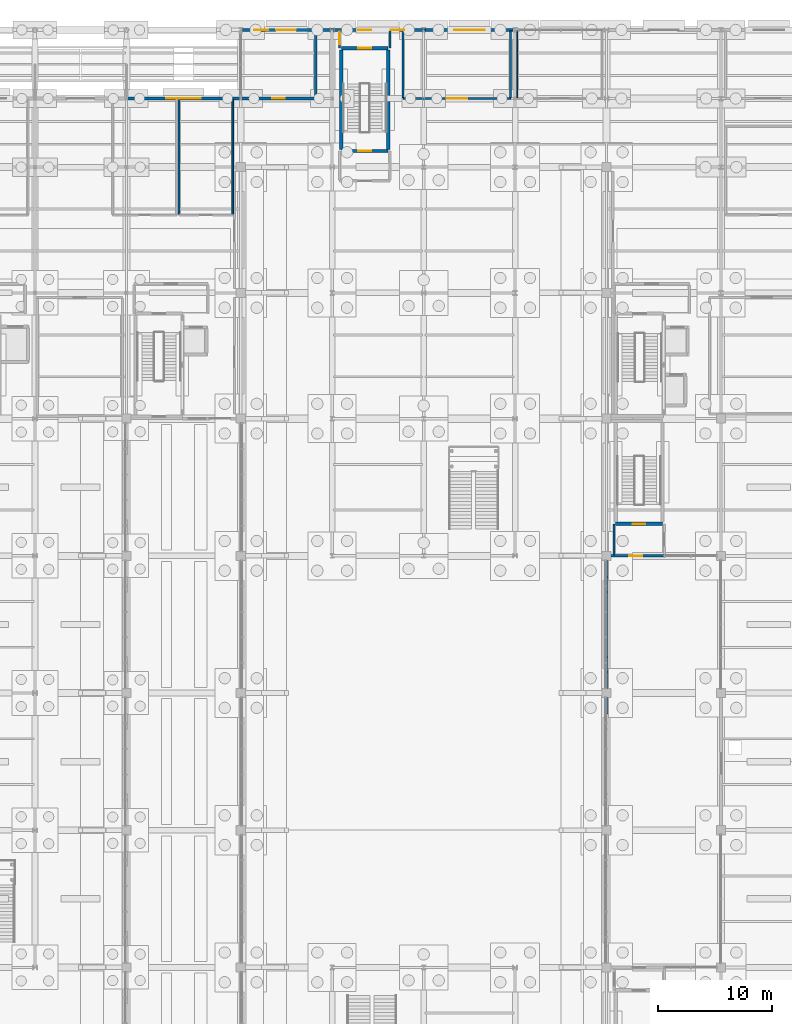
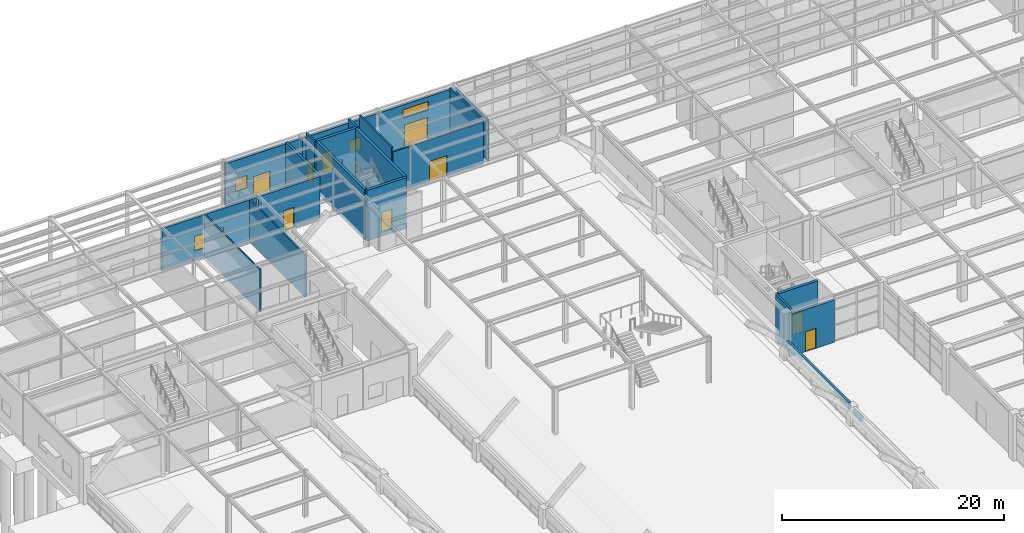
# One storey, part 104 of 129: 27 walls, 10 doors, 4 windows, 14 openings.
"""IFC4 building model written with IfcOpenShell, lengths in metres."""

import ifcopenshell
import ifcopenshell.guid

model = None  # the IFC model being written
_history = None  # IfcOwnerHistory: only IFC2X3 demands one
_inside = {}  # id of a spatial element -> (the spatial element, [elements in it])
_under = {}  # id of a project, library or spatial element -> (it, [spatial elements below it])
_declared = {}  # id of a project -> (the project, [libraries it declares])
_typed = {}  # id of a type object -> (the type object, [elements of that type])
_made_of = {}  # id of a material, layer set ... -> (it, [elements and type objects made of it])


def new_model(schema):
    """Start an empty IFC model of exactly this schema.

    Asked for "IFC4X3", IfcOpenShell would pick the latest addendum, in which some entities
    have other attributes; the version numbers below select the first issue.
    IFC2X3 requires an IfcOwnerHistory on every rooted entity: one is made here for all.
    """
    global model, _history
    if schema == "IFC4X3":
        model = ifcopenshell.file(schema_version=(4, 3, 0, 0))
    else:
        model = ifcopenshell.file(schema=schema)
    _inside.clear()
    _under.clear()
    _declared.clear()
    _typed.clear()
    _made_of.clear()
    _history = None
    if model.schema == "IFC2X3":
        org = make("IfcOrganization", Name="unknown")
        user = make(
            "IfcPersonAndOrganization",
            ThePerson=make("IfcPerson", FamilyName="unknown"),
            TheOrganization=org,
        )
        app = make(
            "IfcApplication",
            ApplicationDeveloper=org,
            Version="unknown",
            ApplicationFullName="unknown",
            ApplicationIdentifier="unknown",
        )
        _history = make(
            "IfcOwnerHistory",
            OwningUser=user,
            OwningApplication=app,
            ChangeAction="ADDED",
            CreationDate=0,
        )
    return model


def make(cls, **values):
    """One entity of the class cls with the attributes given. An attribute that is None is left unset."""
    return model.create_entity(
        cls, **{name: value for name, value in values.items() if value is not None}
    )


def rooted(cls, **values):
    """An entity with a GlobalId (a new one), such as an element, a storey or a relation."""
    return make(cls, GlobalId=ifcopenshell.guid.new(), OwnerHistory=_history, **values)


def si_unit(unit_type, name, prefix=None):
    """IfcSIUnit, for example si_unit("LENGTHUNIT", "METRE", prefix="MILLI")."""
    return make("IfcSIUnit", UnitType=unit_type, Prefix=prefix, Name=name)


def assignment(units):
    """IfcUnitAssignment: the units of a project."""
    return None if units is None else make("IfcUnitAssignment", Units=units)


def point(xyz):
    """IfcCartesianPoint."""
    return None if xyz is None else make("IfcCartesianPoint", Coordinates=xyz)


def direction(xyz):
    """IfcDirection."""
    return None if xyz is None else make("IfcDirection", DirectionRatios=xyz)


def frame(location, z_axis=None, x_axis=None):
    """IfcAxis2Placement3D, a coordinate frame: its origin and axes. An axis left out is left unset."""
    return make(
        "IfcAxis2Placement3D",
        Location=point(location),
        Axis=direction(z_axis),
        RefDirection=direction(x_axis),
    )


def frame_2d(location, x_axis=None):
    """IfcAxis2Placement2D, a coordinate frame in the plane: its origin and x axis."""
    return make(
        "IfcAxis2Placement2D", Location=point(location), RefDirection=direction(x_axis)
    )


def origin():
    """The frame at (0, 0, 0) with its axes left unset."""
    return frame((0.0, 0.0, 0.0))


def place(relative_to, where):
    """IfcLocalPlacement: puts the frame where relative to a parent placement (None: the world)."""
    return make(
        "IfcLocalPlacement", PlacementRelTo=relative_to, RelativePlacement=where
    )


def context(
    kind, dimensions, precision=None, world=None, true_north=None, identifier=None
):
    """IfcGeometricRepresentationContext, for example the 3D "Model" context."""
    return make(
        "IfcGeometricRepresentationContext",
        ContextIdentifier=identifier,
        ContextType=kind,
        CoordinateSpaceDimension=dimensions,
        Precision=precision,
        WorldCoordinateSystem=world,
        TrueNorth=true_north,
    )


def subcontext(parent, identifier, kind, view, scale=None):
    """IfcGeometricRepresentationSubContext, for example "Body" below "Model"."""
    return make(
        "IfcGeometricRepresentationSubContext",
        ContextIdentifier=identifier,
        ContextType=kind,
        ParentContext=parent,
        TargetScale=scale,
        TargetView=view,
    )


def project(units=None, contexts=None):
    """IfcProject with its units and contexts."""
    return rooted(
        "IfcProject",
        Name="project",
        RepresentationContexts=contexts,
        UnitsInContext=assignment(units),
    )


def spatial(cls, under=None, at=None, **own):
    """A site, building, storey or space (cls), placed at a placement, below another one or the project."""
    s = rooted(cls, ObjectPlacement=at, **own)
    if under is not None:
        _under.setdefault(under.id(), (under, []))[1].append(s)
    return s


def profile(cls, at=None, kind="AREA", **sizes):
    """A parametric profile (cls). Its sizes go by their IFC names, for example OverallWidth=200.0."""
    return make(cls, ProfileType=kind, Position=at, **sizes)


def rectangle(**sizes):
    """IfcRectangleProfileDef."""
    return profile("IfcRectangleProfileDef", **sizes)


def extrude(swept, where, along, depth):
    """IfcExtrudedAreaSolid: the profile swept, set in the frame where, extruded along a direction by depth."""
    return make(
        "IfcExtrudedAreaSolid",
        SweptArea=swept,
        Position=where,
        ExtrudedDirection=direction(along),
        Depth=depth,
    )


def shape(context_of_items, identifier, shape_type, items):
    """IfcShapeRepresentation: the items that make up one representation, for example the "Body"."""
    return make(
        "IfcShapeRepresentation",
        ContextOfItems=context_of_items,
        RepresentationIdentifier=identifier,
        RepresentationType=shape_type,
        Items=items,
    )


def material(Name=None, Category=None):
    """IfcMaterial."""
    return make("IfcMaterial", Name=Name, Category=Category)


def layer(
    of_material, thickness, ventilated=None, Name=None, Category=None, Priority=None
):
    """IfcMaterialLayer: one layer of a wall or slab, of a material (None: an air gap)."""
    return make(
        "IfcMaterialLayer",
        Material=of_material,
        LayerThickness=thickness,
        IsVentilated=ventilated,
        Name=Name,
        Category=Category,
        Priority=Priority,
    )


def layer_set(layers, Name=None):
    """IfcMaterialLayerSet."""
    return make("IfcMaterialLayerSet", MaterialLayers=layers, LayerSetName=Name)


def made_of(thing, what):
    """Note that an element or type object is made of a material, layer set ...; save() writes the relation."""
    if what is not None:
        _made_of.setdefault(what.id(), (what, []))[1].append(thing)
    return thing


def type_object(cls, material=None, **own):
    """A type object (cls), such as IfcWallType, which elements share."""
    return made_of(rooted(cls, **own), material)


def element(
    cls,
    number,
    at=None,
    inside=None,
    cuts=None,
    type_object=None,
    material=None,
    context=None,
    identifier="Body",
    shape_type=None,
    held_by="IfcProductDefinitionShape",
    body=None,
    shapes=None,
    **own,
):
    """One element of the class cls, such as IfcWall. Its Tag is "e" and its number.

    at: its placement. inside: the storey or other place that contains it. cuts: it is an
    opening in that element (IfcRelVoidsElement). A single representation is given by context,
    identifier, shape_type and body (its items); several are given by shapes. held_by: the class
    of the entity that holds the representations. save() writes the other relations.
    """
    e = rooted(cls, Tag="e%d" % number, ObjectPlacement=at, **own)
    if body is not None:
        shapes = [shape(context, identifier, shape_type, body)]
    if shapes is not None:
        e.Representation = make(held_by, Representations=shapes)
    if inside is not None:
        _inside.setdefault(inside.id(), (inside, []))[1].append(e)
    if cuts is not None:
        rooted(
            "IfcRelVoidsElement", RelatingBuildingElement=cuts, RelatedOpeningElement=e
        )
    if type_object is not None:
        _typed.setdefault(type_object.id(), (type_object, []))[1].append(e)
    return made_of(e, material)


def fill(opening, filler):
    """IfcRelFillsElement: the door or window that sits in an opening."""
    return rooted(
        "IfcRelFillsElement",
        RelatingOpeningElement=opening,
        RelatedBuildingElement=filler,
    )


def aggregate(whole, parts):
    """IfcRelAggregates: a whole, such as a stair, and the parts it consists of."""
    return rooted("IfcRelAggregates", RelatingObject=whole, RelatedObjects=parts)


def save(model, path):
    """Write the relations noted so far, then the file.

    IfcRelAggregates (storeys below a building ...), IfcRelContainedInSpatialStructure (elements
    in a storey), IfcRelDefinesByType, IfcRelAssociatesMaterial and IfcRelDeclares: one each for
    every whole, place, type object, material and project.
    """
    for whole, parts in _under.values():
        aggregate(whole, parts)
    for where, things in _inside.values():
        rooted(
            "IfcRelContainedInSpatialStructure",
            RelatedElements=things,
            RelatingStructure=where,
        )
    for kind, things in _typed.values():
        rooted("IfcRelDefinesByType", RelatedObjects=things, RelatingType=kind)
    for what, things in _made_of.values():
        rooted("IfcRelAssociatesMaterial", RelatedObjects=things, RelatingMaterial=what)
    for by, libraries in _declared.values():
        rooted("IfcRelDeclares", RelatingContext=by, RelatedDefinitions=libraries)
    model.write(path)


model = new_model("IFC4")

# Units and contexts
model_context = context("Model", 3, precision=1e-05, world=origin(), true_north=direction((0.0, 1.0)))
body_context = subcontext(model_context, "Body", "Model", "MODEL_VIEW")
ifc_project = project(units=[si_unit("LENGTHUNIT", "METRE"), si_unit("AREAUNIT", "SQUARE_METRE"), si_unit("VOLUMEUNIT", "CUBIC_METRE"), si_unit("PLANEANGLEUNIT", "RADIAN"), si_unit("MASSUNIT", "GRAM", prefix="KILO")], contexts=[model_context])

# Site, building, storey
site_placement = place(None, origin())
site = spatial("IfcSite", under=ifc_project, at=site_placement, CompositionType="ELEMENT")
building_placement = place(site_placement, origin())
building = spatial("IfcBuilding", under=site, at=building_placement, Name="Sitalva Quay Ferry Terminal", CompositionType="ELEMENT")
storey_placement = place(building_placement, origin())
storey = spatial("IfcBuildingStorey", under=building, at=storey_placement, Name="L01", CompositionType="ELEMENT", Elevation=0.0)

# Walls
ifc_material_1 = material(Name="Concrete C40/50", Category="concrete")
ifc_layer_1 = layer(ifc_material_1, 0.215087890625)
ifc_layer_set_1 = layer_set([ifc_layer_1], Name="Concrete C40/50")
wall_type_1 = type_object("IfcWallType", Name="Wall_ArchHaunchIn_C40", PredefinedType="SOLIDWALL", material=ifc_layer_set_1)
for number, where, z_axis, x_axis, name in (
    (1, (74.0, 55.85009765625, 1.639892578125), (0.0, 0.0, 1.0), (0.0, 1.0, 0.0), "V1-E shallow-arch inner haunch S EW-L01-108"),
    (2, (74.0, 62.85009765625, 1.639892578125), (0.0, 0.0, 1.0), (0.0, 1.0, 0.0), "V1-E shallow-arch inner haunch N EW-L01-109"),
):
    element("IfcWall", number, at=place(storey_placement, frame(where, z_axis=z_axis, x_axis=x_axis)), inside=storey, type_object=wall_type_1, Name=name, PredefinedType="SOLIDWALL", context=body_context, shape_type="SweptSolid", body=[
        extrude(rectangle(XDim=1.2998046875, YDim=0.215087890625, at=frame_2d((0.64990234375, 0.0))), origin(), (0.0, 0.0, 1.0), 0.239990234375),
    ])
ifc_material_2 = material(Name="Concrete C40/50", Category="concrete")
ifc_layer_2 = layer(ifc_material_2, 0.235107421875)
ifc_layer_set_2 = layer_set([ifc_layer_2], Name="Concrete C40/50")
wall_type_2 = type_object("IfcWallType", Name="Wall_ArchHaunchOut_C40", PredefinedType="SOLIDWALL", material=ifc_layer_set_2)
for number, where, z_axis, x_axis, name in (
    (3, (74.0, 52.14990234375, 1.3798828125), (0.0, 0.0, 1.0), (0.0, 1.0, 0.0), "V1-E shallow-arch outer haunch N EW-L01-105"),
    (4, (74.0, 54.39990234375, 1.3798828125), (0.0, 0.0, 1.0), (0.0, 1.0, 0.0), "V1-E shallow-arch outer haunch S EW-L01-107"),
    (5, (74.0, 64.14990234375, 1.3798828125), (0.0, 0.0, 1.0), (0.0, 1.0, 0.0), "V1-E shallow-arch outer haunch N EW-L01-110"),
):
    element("IfcWall", number, at=place(storey_placement, frame(where, z_axis=z_axis, x_axis=x_axis)), inside=storey, type_object=wall_type_2, Name=name, PredefinedType="SOLIDWALL", context=body_context, shape_type="SweptSolid", body=[
        extrude(rectangle(XDim=1.4501953125, YDim=0.235107421875, at=frame_2d((0.72509765625, 0.0))), origin(), (0.0, 0.0, 1.0), 0.5),
    ])
ifc_material_3 = material(Name="Concrete C40/50", Category="concrete")
ifc_layer_3 = layer(ifc_material_3, 0.2451171875)
ifc_layer_set_3 = layer_set([ifc_layer_3], Name="Concrete C40/50")
wall_type_3 = type_object("IfcWallType", Name="Wall_ArchSpandrel_C40", PredefinedType="SOLIDWALL", material=ifc_layer_set_3)
wall_1_placement = place(storey_placement, frame((74.0, 54.39990234375, 1.8798828125), z_axis=(0.0, 0.0, 1.0), x_axis=(0.0, 1.0, 0.0)))
element("IfcWall", 6, at=wall_1_placement, inside=storey, type_object=wall_type_3, Name="V1-E shallow-arch Concrete C40/50 spandrel fascia EW-L01-106", PredefinedType="SOLIDWALL", context=body_context, shape_type="SweptSolid", body=[
    extrude(rectangle(XDim=11.2001953125, YDim=0.2451171875, at=frame_2d((5.60009765625, 0.0))), origin(), (0.0, 0.0, 1.0), 0.22021484375),
])

# Wall, opening, door
ifc_material_4 = material(Name="Concrete C40/50", Category="concrete")
ifc_layer_4 = layer(ifc_material_4, 0.280029296875)
ifc_layer_set_4 = layer_set([ifc_layer_4], Name="Concrete C40/50")
wall_type_4 = type_object("IfcWallType", Name="Wall_CoreShear_280", PredefinedType="SHEAR", material=ifc_layer_set_4)
wall_2_placement = place(storey_placement, frame((50.800048828125, 101.39990234375, -0.449951171875), z_axis=(0.0, 0.0, 1.0), x_axis=(1.0, 0.0, 0.0)))
wall_2 = element("IfcWall", 7, at=wall_2_placement, inside=storey, type_object=wall_type_4, Name="Core C7 L01 south shear wall", PredefinedType="SHEAR", context=body_context, shape_type="SweptSolid", body=[
    extrude(rectangle(XDim=4.099853515625, YDim=0.280029296875, at=frame_2d((2.0498046875, 0.0))), origin(), (0.0, 0.0, 1.0), 5.570068359375),
])
opening_1_placement = place(wall_2_placement, frame((1.5, 0.0, 0.449951171875)))
opening_1 = element("IfcOpeningElement", 8, at=opening_1_placement, cuts=wall_2, Name="Opening D-L01-025", PredefinedType="OPENING", context=body_context, shape_type="SweptSolid", body=[
    extrude(rectangle(XDim=1.10009765625, YDim=2.199951171875, at=frame_2d((0.550048828125, 1.10009765625))), frame((0.0, 0.14990234375, 0.0), z_axis=(0.0, -1.0, 0.0), x_axis=(1.0, 0.0, 0.0)), (0.0, 0.0, 1.0), 0.300048828125),
])
ifc_material_5 = material(Name="Galvanised Steel Fire Door", Category="steel")
door_type_1 = type_object("IfcDoorType", Name="Door_CoreExit_1100x2200", OperationType="SINGLE_SWING_LEFT", PredefinedType="DOOR", material=ifc_material_5)
door_1_placement = place(opening_1_placement, origin())
door_1 = element("IfcDoor", 9, at=door_1_placement, inside=storey, type_object=door_type_1, Name="DOOR-D-L01-025 Protected stair ST-07 door D-L01-025", OperationType="SINGLE_SWING_LEFT", OverallHeight=2.199951171875, OverallWidth=1.10009765625, PredefinedType="DOOR", context=body_context, shape_type="SweptSolid", body=[
    extrude(rectangle(XDim=1.10009765625, YDim=2.199951171875, at=frame_2d((0.550048828125, 1.10009765625))), frame((0.0, 0.02490234375, 0.0), z_axis=(0.0, -1.0, 0.0), x_axis=(1.0, 0.0, 0.0)), (0.0, 0.0, 1.0), 0.050048828125),
])
fill(opening_1, door_1)

wall_3_placement = place(storey_placement, frame((50.800048828125, 110.39990234375, -0.449951171875), z_axis=(0.0, 0.0, 1.0), x_axis=(1.0, 0.0, 0.0)))
wall_3 = element("IfcWall", 10, at=wall_3_placement, inside=storey, type_object=wall_type_4, Name="Core C7 L01 north shear wall", PredefinedType="SHEAR", context=body_context, shape_type="SweptSolid", body=[
    extrude(rectangle(XDim=4.099853515625, YDim=0.280029296875, at=frame_2d((2.0498046875, 0.0))), origin(), (0.0, 0.0, 1.0), 5.570068359375),
])
opening_2_placement = place(wall_3_placement, frame((1.5, 0.0, 0.449951171875)))
opening_2 = element("IfcOpeningElement", 11, at=opening_2_placement, cuts=wall_3, Name="Opening D-L01-026", PredefinedType="OPENING", context=body_context, shape_type="SweptSolid", body=[
    extrude(rectangle(XDim=1.10009765625, YDim=2.199951171875, at=frame_2d((0.550048828125, 1.10009765625))), frame((0.0, 0.14990234375, 0.0), z_axis=(0.0, -1.0, 0.0), x_axis=(1.0, 0.0, 0.0)), (0.0, 0.0, 1.0), 0.300048828125),
])
door_2_placement = place(opening_2_placement, origin())
door_2 = element("IfcDoor", 12, at=door_2_placement, inside=storey, type_object=door_type_1, Name="DOOR-D-L01-026 Protected stair ST-07 exit discharge door D-L01-026", OperationType="SINGLE_SWING_RIGHT", OverallHeight=2.199951171875, OverallWidth=1.10009765625, PredefinedType="DOOR", context=body_context, shape_type="SweptSolid", body=[
    extrude(rectangle(XDim=1.10009765625, YDim=2.199951171875, at=frame_2d((0.550048828125, 1.10009765625))), frame((0.0, 0.02490234375, 0.0), z_axis=(0.0, -1.0, 0.0), x_axis=(1.0, 0.0, 0.0)), (0.0, 0.0, 1.0), 0.050048828125),
])
fill(opening_2, door_2)

# Walls
for number, where, z_axis, x_axis, name in (
    (13, (50.800048828125, 101.5400390625, -0.449951171875), (0.0, 0.0, 1.0), (0.0, 1.0, 0.0), "Core C7 L01 west shear wall"),
    (14, (54.89990234375, 101.5400390625, -0.449951171875), (0.0, 0.0, 1.0), (0.0, 1.0, 0.0), "Core C7 L01 east shear wall"),
):
    element("IfcWall", number, at=place(storey_placement, frame(where, z_axis=z_axis, x_axis=x_axis)), inside=storey, type_object=wall_type_4, Name=name, PredefinedType="SHEAR", context=body_context, shape_type="SweptSolid", body=[
        extrude(rectangle(XDim=8.719970703125, YDim=0.280029296875, at=frame_2d((4.35986328125, 0.0))), origin(), (0.0, 0.0, 1.0), 5.570068359375),
    ])

# Wall, opening, door
wall_4_placement = place(storey_placement, frame((78.89990234375, 68.800048828125, -0.449951171875), z_axis=(0.0, 0.0, 1.0), x_axis=(-1.0, 0.0, 0.0)))
wall_4 = element("IfcWall", 15, at=wall_4_placement, inside=storey, type_object=wall_type_4, Name="Core C11 L01 south shear wall", PredefinedType="SHEAR", context=body_context, shape_type="SweptSolid", body=[
    extrude(rectangle(XDim=4.099853515625, YDim=0.280029296875, at=frame_2d((2.0498046875, 0.0))), origin(), (0.0, 0.0, 1.0), 5.570068359375),
])
opening_3_placement = place(wall_4_placement, frame((1.5, 0.0, 0.449951171875)))
opening_3 = element("IfcOpeningElement", 16, at=opening_3_placement, cuts=wall_4, Name="Opening D-L01-039", PredefinedType="OPENING", context=body_context, shape_type="SweptSolid", body=[
    extrude(rectangle(XDim=1.10009765625, YDim=2.199951171875, at=frame_2d((0.550048828125, 1.10009765625))), frame((0.0, 0.14990234375, 0.0), z_axis=(0.0, -1.0, 0.0), x_axis=(1.0, 0.0, 0.0)), (0.0, 0.0, 1.0), 0.300048828125),
])
door_3_placement = place(opening_3_placement, origin())
door_3 = element("IfcDoor", 17, at=door_3_placement, inside=storey, type_object=door_type_1, Name="DOOR-D-L01-039 Protected stair ST-13 door D-L01-039", OperationType="SINGLE_SWING_LEFT", OverallHeight=2.199951171875, OverallWidth=1.10009765625, PredefinedType="DOOR", context=body_context, shape_type="SweptSolid", body=[
    extrude(rectangle(XDim=1.10009765625, YDim=2.199951171875, at=frame_2d((0.550048828125, 1.10009765625))), frame((0.0, 0.02490234375, 0.0), z_axis=(0.0, -1.0, 0.0), x_axis=(1.0, 0.0, 0.0)), (0.0, 0.0, 1.0), 0.050048828125),
])
fill(opening_3, door_3)

ifc_material_6 = material(Name="Insulated Precast Concrete C40/50", Category="concrete")
ifc_layer_5 = layer(ifc_material_6, 0.239990234375)
ifc_layer_set_5 = layer_set([ifc_layer_5], Name="Insulated Precast Concrete C40/50")
wall_type_5 = type_object("IfcWallType", Name="Wall_ExtClad_240", PredefinedType="ELEMENTEDWALL", material=ifc_layer_set_5)
wall_5_placement = place(storey_placement, frame((79.050048828125, 66.0, 0.0), z_axis=(0.0, 0.0, 1.0), x_axis=(-1.0, 0.0, 0.0)))
wall_5 = element("IfcWall", 18, at=wall_5_placement, inside=storey, type_object=wall_type_5, Name="Core C11 courtyard exit portal EW-L01-120", PredefinedType="ELEMENTEDWALL", context=body_context, shape_type="SweptSolid", body=[
    extrude(rectangle(XDim=4.699951171875, YDim=0.239990234375, at=frame_2d((2.35009765625, 0.0))), origin(), (0.0, 0.0, 1.0), 4.657958984375),
])
opening_4_placement = place(wall_5_placement, frame((1.949951171875, 0.0, 0.0)))
opening_4 = element("IfcOpeningElement", 19, at=opening_4_placement, cuts=wall_5, Name="Opening ED-L01-015", PredefinedType="OPENING", context=body_context, shape_type="SweptSolid", body=[
    extrude(rectangle(XDim=1.10009765625, YDim=2.199951171875, at=frame_2d((0.550048828125, 1.10009765625))), frame((0.0, 0.1298828125, 0.0), z_axis=(0.0, -1.0, 0.0), x_axis=(1.0, 0.0, 0.0)), (0.0, 0.0, 1.0), 0.260009765625),
])
door_4_placement = place(opening_4_placement, origin())
door_4 = element("IfcDoor", 20, at=door_4_placement, inside=storey, type_object=door_type_1, Name="EDOOR-ED-L01-015 Exit stair ST-13 courtyard exit door ED-L01-015", OperationType="SINGLE_SWING_LEFT", OverallHeight=2.199951171875, OverallWidth=1.10009765625, PredefinedType="DOOR", context=body_context, shape_type="SweptSolid", body=[
    extrude(rectangle(XDim=1.10009765625, YDim=2.199951171875, at=frame_2d((0.550048828125, 1.10009765625))), frame((0.0, 0.02490234375, 0.0), z_axis=(0.0, -1.0, 0.0), x_axis=(1.0, 0.0, 0.0)), (0.0, 0.0, 1.0), 0.050048828125),
])
fill(opening_4, door_4)

# Wall, opening, window
wall_6_placement = place(storey_placement, frame((32.0849609375, 106.0, 0.0), z_axis=(0.0, 0.0, 1.0), x_axis=(1.0, 0.0, 0.0)))
wall_6 = element("IfcWall", 21, at=wall_6_placement, inside=storey, type_object=wall_type_5, Name="L01 north-west landside facade EW-L01-145", PredefinedType="ELEMENTEDWALL", context=body_context, shape_type="SweptSolid", body=[
    extrude(rectangle(XDim=9.830078125, YDim=0.239990234375, at=frame_2d((4.9150390625, 0.0))), origin(), (0.0, 0.0, 1.0), 4.657958984375),
])
opening_5_placement = place(wall_6_placement, frame((3.4150390625, 0.0, 1.0)))
opening_5 = element("IfcOpeningElement", 22, at=opening_5_placement, cuts=wall_6, Name="Opening WN-L01-018", PredefinedType="OPENING", context=body_context, shape_type="SweptSolid", body=[
    extrude(rectangle(XDim=3.0, YDim=1.60009765625, at=frame_2d((1.5, 0.800048828125))), frame((0.0, 0.1298828125, 0.0), z_axis=(0.0, -1.0, 0.0), x_axis=(1.0, 0.0, 0.0)), (0.0, 0.0, 1.0), 0.260009765625),
])
ifc_material_7 = material(Name="Anodised Aluminium & Low-E Glass", Category="aluminium")
window_type_1 = type_object("IfcWindowType", Name="Win_Ribbon_3000x1600", PartitioningType="SINGLE_PANEL", PredefinedType="WINDOW", material=ifc_material_7)
window_1_placement = place(opening_5_placement, origin())
window_1 = element("IfcWindow", 23, at=window_1_placement, inside=storey, type_object=window_type_1, Name="Landside north ribbon window WN-L01-018", OverallHeight=1.60009765625, OverallWidth=3.0, PartitioningType="SINGLE_PANEL", PredefinedType="WINDOW", context=body_context, shape_type="SweptSolid", body=[
    extrude(rectangle(XDim=3.0, YDim=1.60009765625, at=frame_2d((1.5, 0.800048828125))), frame((0.0, 0.030029296875, 0.0), z_axis=(0.0, -1.0, 0.0), x_axis=(1.0, 0.0, 0.0)), (0.0, 0.0, 1.0), 0.06005859375),
])
fill(opening_5, window_1)

# Wall, openings, door, window
ifc_material_8 = material(Name="Concrete C40/50", Category="concrete")
ifc_layer_6 = layer(ifc_material_8, 0.260009765625)
ifc_layer_set_6 = layer_set([ifc_layer_6], Name="Concrete C40/50")
wall_type_6 = type_object("IfcWallType", Name="Wall_ExtSolid_260", PredefinedType="SOLIDWALL", material=ifc_layer_set_6)
wall_7_placement = place(storey_placement, frame((42.16943359375, 112.0, 0.0), z_axis=(0.0, 0.0, 1.0), x_axis=(1.0, 0.0, 0.0)))
wall_7 = element("IfcWall", 24, at=wall_7_placement, inside=storey, type_object=wall_type_6, Name="Fire control room north facade EW-L01-152", PredefinedType="SOLIDWALL", context=body_context, shape_type="SweptSolid", body=[
    extrude(rectangle(XDim=8.005615234375, YDim=0.260009765625, at=frame_2d((4.0029296875, 0.0))), origin(), (0.0, 0.0, 1.0), 4.657958984375),
])
opening_6_placement = place(wall_7_placement, frame((2.930419921875, 0.0, 0.0)))
opening_6 = element("IfcOpeningElement", 25, at=opening_6_placement, cuts=wall_7, Name="Opening ED-L01-031", PredefinedType="OPENING", context=body_context, shape_type="SweptSolid", body=[
    extrude(rectangle(XDim=1.719970703125, YDim=2.219970703125, at=frame_2d((0.85986328125, 1.10986328125))), frame((0.0, 0.139892578125, 0.0), z_axis=(0.0, -1.0, 0.0), x_axis=(1.0, 0.0, 0.0)), (0.0, 0.0, 1.0), 0.280029296875),
])
opening_7_placement = place(wall_7_placement, frame((1.030517578125, 0.0, 1.199951171875)))
opening_7 = element("IfcOpeningElement", 26, at=opening_7_placement, cuts=wall_7, Name="Opening WN-L01-024", PredefinedType="OPENING", context=body_context, shape_type="SweptSolid", body=[
    extrude(rectangle(XDim=1.199951171875, YDim=1.39990234375, at=frame_2d((0.60009765625, 0.699951171875))), frame((0.0, 0.139892578125, 0.0), z_axis=(0.0, -1.0, 0.0), x_axis=(1.0, 0.0, 0.0)), (0.0, 0.0, 1.0), 0.280029296875),
])
ifc_material_9 = material(Name="Stainless Steel 316L", Category="steel")
door_type_2 = type_object("IfcDoorType", Name="Door_Brigade_1720x2220", OperationType="DOUBLE_DOOR_SINGLE_SWING", PredefinedType="DOOR", material=ifc_material_9)
door_5_placement = place(opening_6_placement, origin())
door_5 = element("IfcDoor", 27, at=door_5_placement, inside=storey, type_object=door_type_2, Name="EDOOR-ED-L01-031 Fire brigade direct access door to L01-FCR ED-L01-031", OperationType="DOUBLE_DOOR_SINGLE_SWING", OverallHeight=2.219970703125, OverallWidth=1.719970703125, PredefinedType="DOOR", context=body_context, shape_type="SweptSolid", body=[
    extrude(rectangle(XDim=1.719970703125, YDim=2.219970703125, at=frame_2d((0.85986328125, 1.10986328125))), frame((0.0, 0.02490234375, 0.0), z_axis=(0.0, -1.0, 0.0), x_axis=(1.0, 0.0, 0.0)), (0.0, 0.0, 1.0), 0.050048828125),
])
fill(opening_6, door_5)
ifc_material_10 = material(Name="Anodised Aluminium & Low-E Glass", Category="aluminium")
window_type_2 = type_object("IfcWindowType", Name="Win_Punched_1200x1400", PartitioningType="SINGLE_PANEL", PredefinedType="WINDOW", material=ifc_material_10)
window_2_placement = place(opening_7_placement, origin())
window_2 = element("IfcWindow", 28, at=window_2_placement, inside=storey, type_object=window_type_2, Name="Fire control room observation window WN-L01-024", OverallHeight=1.39990234375, OverallWidth=1.199951171875, PartitioningType="SINGLE_PANEL", PredefinedType="WINDOW", context=body_context, shape_type="SweptSolid", body=[
    extrude(rectangle(XDim=1.199951171875, YDim=1.39990234375, at=frame_2d((0.60009765625, 0.699951171875))), frame((0.0, 0.030029296875, 0.0), z_axis=(0.0, -1.0, 0.0), x_axis=(1.0, 0.0, 0.0)), (0.0, 0.0, 1.0), 0.06005859375),
])
fill(opening_7, window_2)

wall_8_placement = place(storey_placement, frame((50.1630859375, 112.0, 0.0), z_axis=(0.0, 0.0, 1.0), x_axis=(1.0, 0.0, 0.0)))
wall_8 = element("IfcWall", 29, at=wall_8_placement, inside=storey, type_object=wall_type_6, Name="Core C7 north exit facade EW-L01-153", PredefinedType="SOLIDWALL", context=body_context, shape_type="SweptSolid", body=[
    extrude(rectangle(XDim=8.018310546875, YDim=0.260009765625, at=frame_2d((4.00927734375, 0.0))), origin(), (0.0, 0.0, 1.0), 4.657958984375),
])
opening_8_placement = place(wall_8_placement, frame((2.136962890625, 0.0, 0.0)))
opening_8 = element("IfcOpeningElement", 30, at=opening_8_placement, cuts=wall_8, Name="Opening ED-L01-032", PredefinedType="OPENING", context=body_context, shape_type="SweptSolid", body=[
    extrude(rectangle(XDim=1.10009765625, YDim=2.199951171875, at=frame_2d((0.550048828125, 1.10009765625))), frame((0.0, 0.139892578125, 0.0), z_axis=(0.0, -1.0, 0.0), x_axis=(1.0, 0.0, 0.0)), (0.0, 0.0, 1.0), 0.280029296875),
])
opening_9_placement = place(wall_8_placement, frame((4.93701171875, 0.0, 1.199951171875)))
opening_9 = element("IfcOpeningElement", 31, at=opening_9_placement, cuts=wall_8, Name="Opening WN-L01-025", PredefinedType="OPENING", context=body_context, shape_type="SweptSolid", body=[
    extrude(rectangle(XDim=1.199951171875, YDim=1.39990234375, at=frame_2d((0.60009765625, 0.699951171875))), frame((0.0, 0.139892578125, 0.0), z_axis=(0.0, -1.0, 0.0), x_axis=(1.0, 0.0, 0.0)), (0.0, 0.0, 1.0), 0.280029296875),
])
door_6_placement = place(opening_8_placement, origin())
door_6 = element("IfcDoor", 32, at=door_6_placement, inside=storey, type_object=door_type_1, Name="EDOOR-ED-L01-032 Exit stair ST-07 north forecourt exit door ED-L01-032", OperationType="SINGLE_SWING_LEFT", OverallHeight=2.199951171875, OverallWidth=1.10009765625, PredefinedType="DOOR", context=body_context, shape_type="SweptSolid", body=[
    extrude(rectangle(XDim=1.10009765625, YDim=2.199951171875, at=frame_2d((0.550048828125, 1.10009765625))), frame((0.0, 0.02490234375, 0.0), z_axis=(0.0, -1.0, 0.0), x_axis=(1.0, 0.0, 0.0)), (0.0, 0.0, 1.0), 0.050048828125),
])
fill(opening_8, door_6)
window_3_placement = place(opening_9_placement, origin())
window_3 = element("IfcWindow", 33, at=window_3_placement, inside=storey, type_object=window_type_2, Name="North arrival window WN-L01-025", OverallHeight=1.39990234375, OverallWidth=1.199951171875, PartitioningType="SINGLE_PANEL", PredefinedType="WINDOW", context=body_context, shape_type="SweptSolid", body=[
    extrude(rectangle(XDim=1.199951171875, YDim=1.39990234375, at=frame_2d((0.60009765625, 0.699951171875))), frame((0.0, 0.030029296875, 0.0), z_axis=(0.0, -1.0, 0.0), x_axis=(1.0, 0.0, 0.0)), (0.0, 0.0, 1.0), 0.06005859375),
])
fill(opening_9, window_3)

wall_9_placement = place(storey_placement, frame((58.16943359375, 112.0, 0.0), z_axis=(0.0, 0.0, 1.0), x_axis=(1.0, 0.0, 0.0)))
wall_9 = element("IfcWall", 34, at=wall_9_placement, inside=storey, type_object=wall_type_6, Name="Main landside entrance portal EW-L01-154", PredefinedType="SOLIDWALL", context=body_context, shape_type="SweptSolid", body=[
    extrude(rectangle(XDim=7.6611328125, YDim=0.260009765625, at=frame_2d((3.83056640625, 0.0))), origin(), (0.0, 0.0, 1.0), 4.657958984375),
])
opening_10_placement = place(wall_9_placement, frame((2.630615234375, 0.0, 0.0)))
opening_10 = element("IfcOpeningElement", 35, at=opening_10_placement, cuts=wall_9, Name="Opening ED-L01-033", PredefinedType="OPENING", context=body_context, shape_type="SweptSolid", body=[
    extrude(rectangle(XDim=2.39990234375, YDim=2.39990234375, at=frame_2d((1.199951171875, 1.199951171875))), frame((0.0, 0.139892578125, 0.0), z_axis=(0.0, -1.0, 0.0), x_axis=(1.0, 0.0, 0.0)), (0.0, 0.0, 1.0), 0.280029296875),
])
opening_11_placement = place(wall_9_placement, frame((2.505615234375, 0.0, 3.199951171875)))
opening_11 = element("IfcOpeningElement", 36, at=opening_11_placement, cuts=wall_9, Name="Opening WN-L01-026", PredefinedType="OPENING", context=body_context, shape_type="SweptSolid", body=[
    extrude(rectangle(XDim=2.64990234375, YDim=0.919921875, at=frame_2d((1.324951171875, 0.4599609375))), frame((0.0, 0.139892578125, 0.0), z_axis=(0.0, -1.0, 0.0), x_axis=(1.0, 0.0, 0.0)), (0.0, 0.0, 1.0), 0.280029296875),
])
ifc_material_11 = material(Name="Anodised Aluminium & Toughened Glass", Category="aluminium")
door_type_3 = type_object("IfcDoorType", Name="Door_Entrance_2400x2400", OperationType="DOUBLE_DOOR_SINGLE_SWING", PredefinedType="DOOR", material=ifc_material_11)
door_7_placement = place(opening_10_placement, origin())
door_7 = element("IfcDoor", 37, at=door_7_placement, inside=storey, type_object=door_type_3, Name="EDOOR-ED-L01-033 Main landside terminal entrance ED-L01-033", OperationType="DOUBLE_DOOR_SINGLE_SWING", OverallHeight=2.39990234375, OverallWidth=2.39990234375, PredefinedType="DOOR", context=body_context, shape_type="SweptSolid", body=[
    extrude(rectangle(XDim=2.39990234375, YDim=2.39990234375, at=frame_2d((1.199951171875, 1.199951171875))), frame((0.0, 0.02490234375, 0.0), z_axis=(0.0, -1.0, 0.0), x_axis=(1.0, 0.0, 0.0)), (0.0, 0.0, 1.0), 0.050048828125),
])
fill(opening_10, door_7)
ifc_material_12 = material(Name="Anodised Aluminium & Low-E Glass", Category="aluminium")
window_type_3 = type_object("IfcWindowType", Name="Win_TransomB_2650x920", PartitioningType="SINGLE_PANEL", PredefinedType="WINDOW", material=ifc_material_12)
window_4_placement = place(opening_11_placement, origin())
window_4 = element("IfcWindow", 38, at=window_4_placement, inside=storey, type_object=window_type_3, Name="Entrance transom window WN-L01-026", OverallHeight=0.919921875, OverallWidth=2.64990234375, PartitioningType="SINGLE_PANEL", PredefinedType="WINDOW", context=body_context, shape_type="SweptSolid", body=[
    extrude(rectangle(XDim=2.64990234375, YDim=0.919921875, at=frame_2d((1.324951171875, 0.4599609375))), frame((0.0, 0.030029296875, 0.0), z_axis=(0.0, -1.0, 0.0), x_axis=(1.0, 0.0, 0.0)), (0.0, 0.0, 1.0), 0.06005859375),
])
fill(opening_11, window_4)

# Wall, opening, door
ifc_material_13 = material(Name="Concrete C35/45", Category="concrete")
ifc_layer_7 = layer(ifc_material_13, 0.22998046875)
ifc_layer_set_7 = layer_set([ifc_layer_7], Name="Concrete C35/45")
wall_type_7 = type_object("IfcWallType", Name="Wall_FireCtrl_230", PredefinedType="SOLIDWALL", material=ifc_layer_set_7)
wall_10_placement = place(storey_placement, frame((42.080078125, 106.0, 0.0), z_axis=(0.0, 0.0, 1.0), x_axis=(1.0, 0.0, 0.0)))
wall_10 = element("IfcWall", 39, at=wall_10_placement, inside=storey, type_object=wall_type_7, Name="Fire Command & Control Room S wall IW-L01-0127", PredefinedType="SOLIDWALL", context=body_context, shape_type="SweptSolid", body=[
    extrude(rectangle(XDim=6.469970703125, YDim=0.22998046875, at=frame_2d((3.23486328125, 0.0))), origin(), (0.0, 0.0, 1.0), 4.659912109375),
])
opening_12_placement = place(wall_10_placement, frame((2.695068359375, 0.0, 0.0)))
opening_12 = element("IfcOpeningElement", 40, at=opening_12_placement, cuts=wall_10, Name="Opening ID-L01-047", PredefinedType="OPENING", context=body_context, shape_type="SweptSolid", body=[
    extrude(rectangle(XDim=1.080078125, YDim=2.199951171875, at=frame_2d((0.5400390625, 1.10009765625))), frame((0.0, 0.125, 0.0), z_axis=(0.0, -1.0, 0.0), x_axis=(1.0, 0.0, 0.0)), (0.0, 0.0, 1.0), 0.25),
])
ifc_material_14 = material(Name="Galvanised Steel S275JR", Category="steel")
door_type_4 = type_object("IfcDoorType", Name="Door_SecSteel_1100x2200", OperationType="SINGLE_SWING_LEFT", PredefinedType="DOOR", material=ifc_material_14)
door_8_placement = place(opening_12_placement, origin())
door_8 = element("IfcDoor", 41, at=door_8_placement, inside=storey, type_object=door_type_4, Name="IDOOR-ID-L01-047 Fire Command & Control Room entrance ID-L01-047", OperationType="SINGLE_SWING_LEFT", OverallHeight=2.199951171875, OverallWidth=1.080078125, PredefinedType="DOOR", context=body_context, shape_type="SweptSolid", body=[
    extrude(rectangle(XDim=1.080078125, YDim=2.199951171875, at=frame_2d((0.5400390625, 1.10009765625))), frame((0.0, 0.02490234375, 0.0), z_axis=(0.0, -1.0, 0.0), x_axis=(1.0, 0.0, 0.0)), (0.0, 0.0, 1.0), 0.050048828125),
])
fill(opening_12, door_8)

# Walls
wall_11_placement = place(storey_placement, frame((48.550048828125, 106.114990234375, 0.0), z_axis=(0.0, 0.0, 1.0), x_axis=(0.0, 1.0, 0.0)))
element("IfcWall", 42, at=wall_11_placement, inside=storey, type_object=wall_type_7, Name="Fire Command & Control Room E wall IW-L01-0128", PredefinedType="SOLIDWALL", context=body_context, shape_type="SweptSolid", body=[
    extrude(rectangle(XDim=5.804931640625, YDim=0.22998046875, at=frame_2d((2.90234375, 0.0))), origin(), (0.0, 0.0, 1.0), 4.806884765625),
])
ifc_material_15 = material(Name="Fire-Rated Blockwork C25/30", Category="masonry")
ifc_layer_8 = layer(ifc_material_15, 0.179931640625)
ifc_layer_set_8 = layer_set([ifc_layer_8], Name="Fire-Rated Blockwork C25/30")
wall_type_8 = type_object("IfcWallType", Name="Wall_FireLobby_180", PredefinedType="SOLIDWALL", material=ifc_layer_set_8)
wall_12_placement = place(storey_placement, frame((74.64990234375, 66.080078125, 0.0), z_axis=(0.0, 0.0, 1.0), x_axis=(0.0, 1.0, 0.0)))
element("IfcWall", 43, at=wall_12_placement, inside=storey, type_object=wall_type_8, Name="Firefighting & Lift Lobby C11 W wall IW-L01-0097", PredefinedType="SOLIDWALL", context=body_context, shape_type="SweptSolid", body=[
    extrude(rectangle(XDim=2.719970703125, YDim=0.179931640625, at=frame_2d((1.35986328125, 0.0))), origin(), (0.0, 0.0, 1.0), 5.10009765625),
])

# Wall, opening, door
wall_13_placement = place(storey_placement, frame((50.64990234375, 110.39990234375, 0.0), z_axis=(0.0, 0.0, 1.0), x_axis=(0.0, 1.0, 0.0)))
wall_13 = element("IfcWall", 44, at=wall_13_placement, inside=storey, type_object=wall_type_8, Name="Protected Exit Vestibule ST-07 W wall IW-L01-0119", PredefinedType="SOLIDWALL", context=body_context, shape_type="SweptSolid", body=[
    extrude(rectangle(XDim=1.52001953125, YDim=0.179931640625, at=frame_2d((0.760009765625, 0.0))), origin(), (0.0, 0.0, 1.0), 5.10009765625),
])
opening_13_placement = place(wall_13_placement, frame((0.35009765625, 0.0, 0.0)))
opening_13 = element("IfcOpeningElement", 45, at=opening_13_placement, cuts=wall_13, Name="Opening ID-L01-043", PredefinedType="OPENING", context=body_context, shape_type="SweptSolid", body=[
    extrude(rectangle(XDim=1.10009765625, YDim=2.199951171875, at=frame_2d((0.550048828125, 1.10009765625))), frame((0.0, 0.099853515625, 0.0), z_axis=(0.0, -1.0, 0.0), x_axis=(1.0, 0.0, 0.0)), (0.0, 0.0, 1.0), 0.199951171875),
])
ifc_material_16 = material(Name="Steel Fire Door", Category="steel")
door_type_5 = type_object("IfcDoorType", Name="Door_FireLobby_1100x2200", OperationType="SINGLE_SWING_LEFT", PredefinedType="DOOR", material=ifc_material_16)
door_9_placement = place(opening_13_placement, origin())
door_9 = element("IfcDoor", 46, at=door_9_placement, inside=storey, type_object=door_type_5, Name="IDOOR-ID-L01-043 Protected Exit Vestibule ST-07 entrance ID-L01-043", OperationType="SINGLE_SWING_LEFT", OverallHeight=2.199951171875, OverallWidth=1.10009765625, PredefinedType="DOOR", context=body_context, shape_type="SweptSolid", body=[
    extrude(rectangle(XDim=1.10009765625, YDim=2.199951171875, at=frame_2d((0.550048828125, 1.10009765625))), frame((0.0, 0.02490234375, 0.0), z_axis=(0.0, -1.0, 0.0), x_axis=(1.0, 0.0, 0.0)), (0.0, 0.0, 1.0), 0.050048828125),
])
fill(opening_13, door_9)

# Walls
wall_14_placement = place(storey_placement, frame((55.050048828125, 110.39990234375, 0.0), z_axis=(0.0, 0.0, 1.0), x_axis=(0.0, 1.0, 0.0)))
element("IfcWall", 47, at=wall_14_placement, inside=storey, type_object=wall_type_8, Name="Protected Exit Vestibule ST-07 E wall IW-L01-0120", PredefinedType="SOLIDWALL", context=body_context, shape_type="SweptSolid", body=[
    extrude(rectangle(XDim=1.52001953125, YDim=0.179931640625, at=frame_2d((0.760009765625, 0.0))), origin(), (0.0, 0.0, 1.0), 5.10009765625),
])
ifc_material_17 = material(Name="Framed Acoustic Glass Partition", Category="glass")
ifc_layer_9 = layer(ifc_material_17, 0.10009765625)
ifc_layer_set_9 = layer_set([ifc_layer_9], Name="Framed Acoustic Glass Partition")
wall_type_9 = type_object("IfcWallType", Name="Wall_GlazedScreen_100", PredefinedType="MOVABLE", material=ifc_layer_set_9)
wall_15_placement = place(storey_placement, frame((66.199951171875, 106.050048828125, 0.0), z_axis=(0.0, 0.0, 1.0), x_axis=(0.0, 1.0, 0.0)))
element("IfcWall", 48, at=wall_15_placement, inside=storey, type_object=wall_type_9, Name="Passenger Information & BIWTA Desk W wall IW-L01-0133", PredefinedType="MOVABLE", context=body_context, shape_type="SweptSolid", body=[
    extrude(rectangle(XDim=5.869873046875, YDim=0.10009765625, at=frame_2d((2.93505859375, 0.0))), origin(), (0.0, 0.0, 1.0), 4.659912109375),
])

# Wall, opening, door
ifc_material_18 = material(Name="Acoustic Twin-Stud Gypsum Partition", Category="gypsum")
ifc_layer_10 = layer(ifc_material_18, 0.14990234375)
ifc_layer_set_10 = layer_set([ifc_layer_10], Name="Acoustic Twin-Stud Gypsum Partition")
wall_type_10 = type_object("IfcWallType", Name="Wall_Partition_150", PredefinedType="PARTITIONING", material=ifc_layer_set_10)
wall_16_placement = place(storey_placement, frame((56.199951171875, 106.0, 0.0), z_axis=(0.0, 0.0, 1.0), x_axis=(1.0, 0.0, 0.0)))
wall_16 = element("IfcWall", 49, at=wall_16_placement, inside=storey, type_object=wall_type_10, Name="Ferry Ticketing Hall & Counters S wall IW-L01-0129", PredefinedType="PARTITIONING", context=body_context, shape_type="SweptSolid", body=[
    extrude(rectangle(XDim=9.400146484375, YDim=0.14990234375, at=frame_2d((4.7001953125, 0.0))), origin(), (0.0, 0.0, 1.0), 4.659912109375),
])
opening_14_placement = place(wall_16_placement, frame((3.800048828125, 0.0, 0.0)))
opening_14 = element("IfcOpeningElement", 50, at=opening_14_placement, cuts=wall_16, Name="Opening ID-L01-048", PredefinedType="OPENING", context=body_context, shape_type="SweptSolid", body=[
    extrude(rectangle(XDim=1.800048828125, YDim=2.300048828125, at=frame_2d((0.89990234375, 1.14990234375))), frame((0.0, 0.0849609375, 0.0), z_axis=(0.0, -1.0, 0.0), x_axis=(1.0, 0.0, 0.0)), (0.0, 0.0, 1.0), 0.169921875),
])
ifc_material_19 = material(Name="Anodised Aluminium & Toughened Glass", Category="aluminium")
door_type_6 = type_object("IfcDoorType", Name="Door_Retail_1800x2300", OperationType="DOUBLE_DOOR_SINGLE_SWING", PredefinedType="DOOR", material=ifc_material_19)
door_10_placement = place(opening_14_placement, origin())
door_10 = element("IfcDoor", 51, at=door_10_placement, inside=storey, type_object=door_type_6, Name="IDOOR-ID-L01-048 Ferry Ticketing Hall & Counters entrance ID-L01-048", OperationType="DOUBLE_DOOR_SINGLE_SWING", OverallHeight=2.300048828125, OverallWidth=1.800048828125, PredefinedType="DOOR", context=body_context, shape_type="SweptSolid", body=[
    extrude(rectangle(XDim=1.800048828125, YDim=2.300048828125, at=frame_2d((0.89990234375, 1.14990234375))), frame((0.0, 0.02490234375, 0.0), z_axis=(0.0, -1.0, 0.0), x_axis=(1.0, 0.0, 0.0)), (0.0, 0.0, 1.0), 0.050048828125),
])
fill(opening_14, door_10)

# Walls
wall_17_placement = place(storey_placement, frame((56.199951171875, 106.074951171875, 0.0), z_axis=(0.0, 0.0, 1.0), x_axis=(0.0, 1.0, 0.0)))
element("IfcWall", 52, at=wall_17_placement, inside=storey, type_object=wall_type_10, Name="Ferry Ticketing Hall & Counters W wall IW-L01-0130", PredefinedType="PARTITIONING", context=body_context, shape_type="SweptSolid", body=[
    extrude(rectangle(XDim=5.844970703125, YDim=0.14990234375, at=frame_2d((2.92236328125, 0.0))), origin(), (0.0, 0.0, 1.0), 5.10009765625),
])
wall_18_placement = place(storey_placement, frame((65.60009765625, 106.074951171875, 0.0), z_axis=(0.0, 0.0, 1.0), x_axis=(0.0, 1.0, 0.0)))
element("IfcWall", 53, at=wall_18_placement, inside=storey, type_object=wall_type_10, Name="Ferry Ticketing Hall & Counters E wall IW-L01-0131", PredefinedType="PARTITIONING", context=body_context, shape_type="SweptSolid", body=[
    extrude(rectangle(XDim=5.844970703125, YDim=0.14990234375, at=frame_2d((2.92236328125, 0.0))), origin(), (0.0, 0.0, 1.0), 4.806884765625),
])
ifc_material_20 = material(Name="Moisture-Resistant Cement Board Partition", Category="gypsum")
ifc_layer_11 = layer(ifc_material_20, 0.139892578125)
ifc_layer_set_11 = layer_set([ifc_layer_11], Name="Moisture-Resistant Cement Board Partition")
wall_type_11 = type_object("IfcWallType", Name="Wall_WetRoom_140", PredefinedType="PARTITIONING", material=ifc_layer_set_11)
for number, where, z_axis, x_axis, name in (
    (54, (36.60009765625, 95.8701171875, 0.0), (0.0, 0.0, 1.0), (0.0, 1.0, 0.0), "West Concourse Accessible Toilet & Baby Care W wall IW-L01-0162"),
    (55, (41.300048828125, 95.8701171875, 0.0), (0.0, 0.0, 1.0), (0.0, 1.0, 0.0), "West Concourse Accessible Toilet & Baby Care E wall IW-L01-0163"),
):
    element("IfcWall", number, at=place(storey_placement, frame(where, z_axis=z_axis, x_axis=x_axis)), inside=storey, type_object=wall_type_11, Name=name, PredefinedType="PARTITIONING", context=body_context, shape_type="SweptSolid", body=[
        extrude(rectangle(XDim=10.0498046875, YDim=0.139892578125, at=frame_2d((5.02490234375, 0.0))), origin(), (0.0, 0.0, 1.0), 4.659912109375),
    ])

save(model, "model.ifc")
